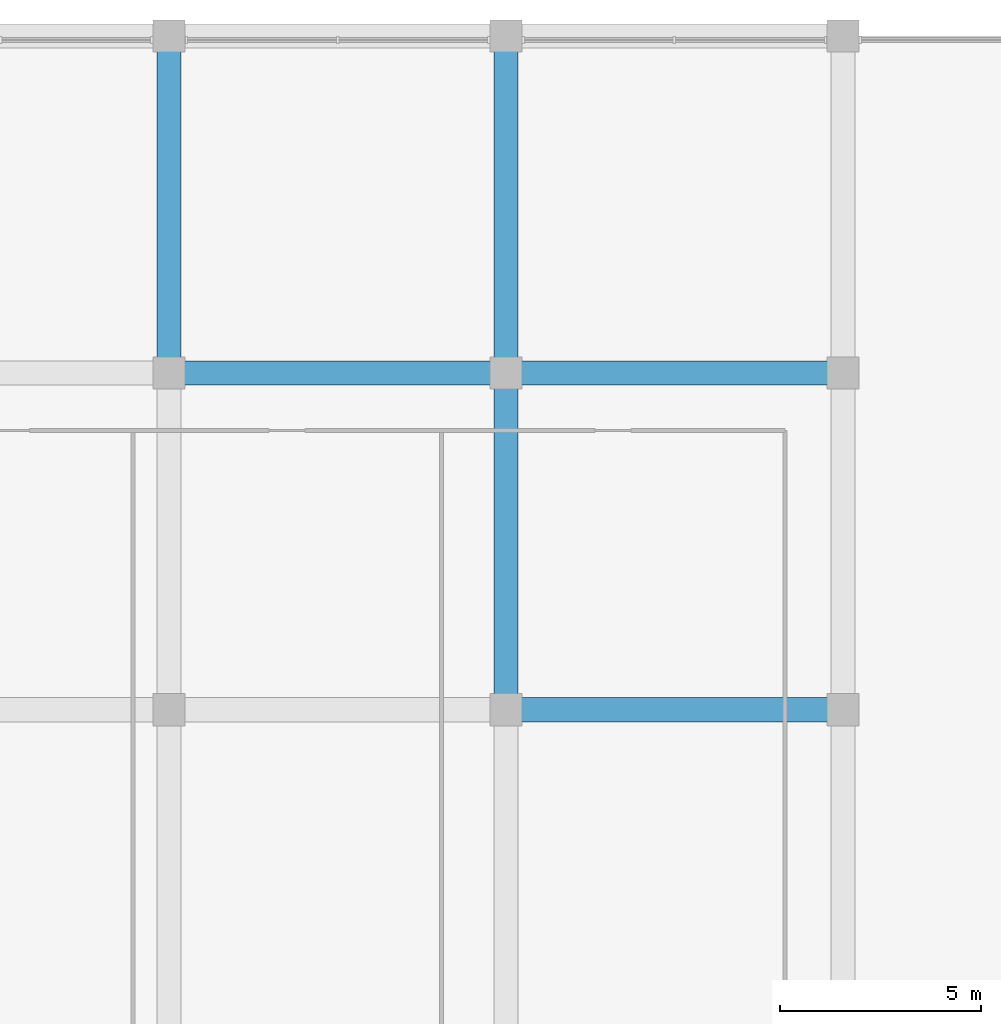
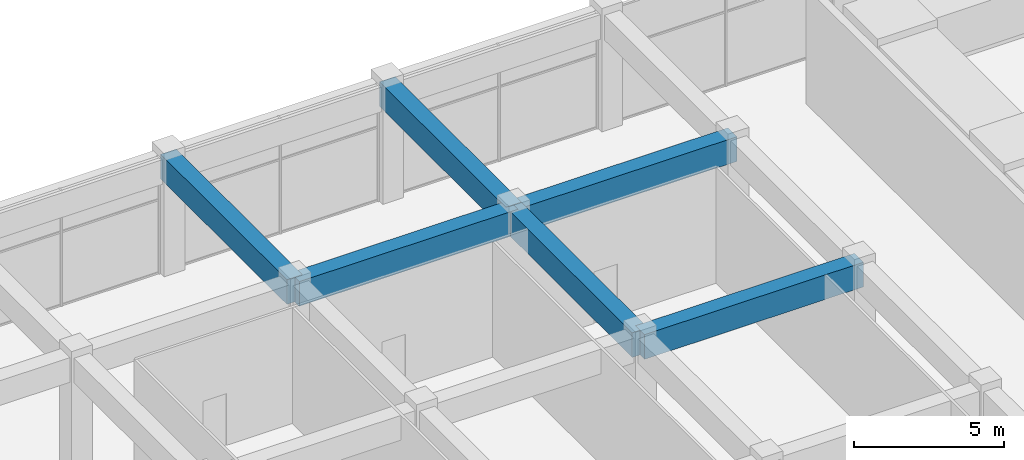
# One storey, part 18 of 34: 6 beams.
"""IFC4 building model written with IfcOpenShell, lengths in metres."""

from ifc_helpers import new_model, si_unit, direction, frame, origin, origin_2d, place, context, subcontext, project, spatial, rectangle, extrude, material, material_profile, profile_set, type_object, element, save


model = new_model("IFC4")

# Units and contexts
model_context = context("Model", 3, precision=1e-05, world=origin(), true_north=direction((0.0, 1.0)))
body_context = subcontext(model_context, "Body", "Model", "MODEL_VIEW")
ifc_project = project(units=[si_unit("LENGTHUNIT", "METRE"), si_unit("AREAUNIT", "SQUARE_METRE"), si_unit("VOLUMEUNIT", "CUBIC_METRE"), si_unit("PLANEANGLEUNIT", "RADIAN"), si_unit("MASSUNIT", "GRAM", prefix="KILO")], contexts=[model_context])

# Site, building, storey
site_placement = place(None, origin())
site = spatial("IfcSite", under=ifc_project, at=site_placement, CompositionType="ELEMENT")
building_placement = place(site_placement, origin())
building = spatial("IfcBuilding", under=site, at=building_placement, Name="Impinga Residences", CompositionType="ELEMENT")
storey_placement = place(building_placement, frame((0.0, 0.0, 16.0)))
storey = spatial("IfcBuildingStorey", under=building, at=storey_placement, Name="L03", CompositionType="ELEMENT", Elevation=16.0)

# Beams
ifc_material = material(Name="Concrete C60/75", Category="concrete")
ifc_material_profile = material_profile(ifc_material, rectangle(XDim=0.60009765625, YDim=1.0, at=origin_2d()), Name="RC 600x1000")
ifc_profile_set = profile_set([ifc_material_profile], Name="Concrete C60/75")
beam_type = type_object("IfcBeamType", Name="PB2 600x1000 podium beam", PredefinedType="BEAM", material=ifc_profile_set)
beam_1_placement = place(storey_placement, frame((-25.199951171875, 33.60009765625, 4.199951171875), z_axis=(1.0, 0.0, 0.0), x_axis=(0.0, 1.0, 0.0)))
element("IfcBeam", 1, at=beam_1_placement, inside=storey, type_object=beam_type, Name="Beam PB2 K/4-5 level L04", PredefinedType="BEAM", context=body_context, shape_type="SweptSolid", body=[
    extrude(rectangle(XDim=0.60009765625, YDim=1.0, at=origin_2d()), origin(), (0.0, 0.0, 1.0), 8.39990234375),
])
beam_2_placement = place(storey_placement, frame((-33.60009765625, 42.0, 4.199951171875), z_axis=(1.0, 0.0, 0.0), x_axis=(0.0, 1.0, 0.0)))
element("IfcBeam", 2, at=beam_2_placement, inside=storey, type_object=beam_type, Name="Beam PB2 L/3-4 level L04", PredefinedType="BEAM", context=body_context, shape_type="SweptSolid", body=[
    extrude(rectangle(XDim=0.60009765625, YDim=1.0, at=origin_2d()), origin(), (0.0, 0.0, 1.0), 8.400146484375),
])
for number, where, z_axis, x_axis, name in (
    (3, (-25.199951171875, 42.0, 4.199951171875), (1.0, 0.0, 0.0), (0.0, 1.0, 0.0), "Beam PB2 L/4-5 level L04"),
    (4, (-33.60009765625, 42.0, 4.199951171875), (0.0, 1.0, 0.0), (-1.0, 0.0, 0.0), "Beam PB2 3/L-M level L04"),
    (5, (-25.199951171875, 33.60009765625, 4.199951171875), (0.0, 1.0, 0.0), (-1.0, 0.0, 0.0), "Beam PB2 4/K-L level L04"),
    (6, (-25.199951171875, 42.0, 4.199951171875), (0.0, 1.0, 0.0), (-1.0, 0.0, 0.0), "Beam PB2 4/L-M level L04"),
):
    element("IfcBeam", number, at=place(storey_placement, frame(where, z_axis=z_axis, x_axis=x_axis)), inside=storey, type_object=beam_type, Name=name, PredefinedType="BEAM", context=body_context, shape_type="SweptSolid", body=[
        extrude(rectangle(XDim=0.60009765625, YDim=1.0, at=origin_2d()), origin(), (0.0, 0.0, 1.0), 8.39990234375),
    ])

save(model, "model.ifc")
